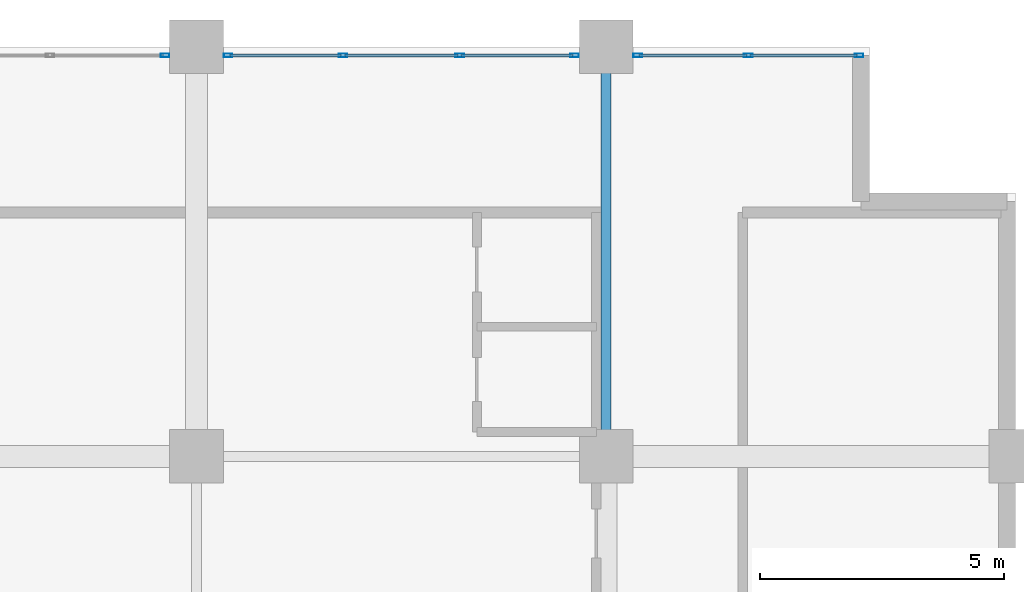
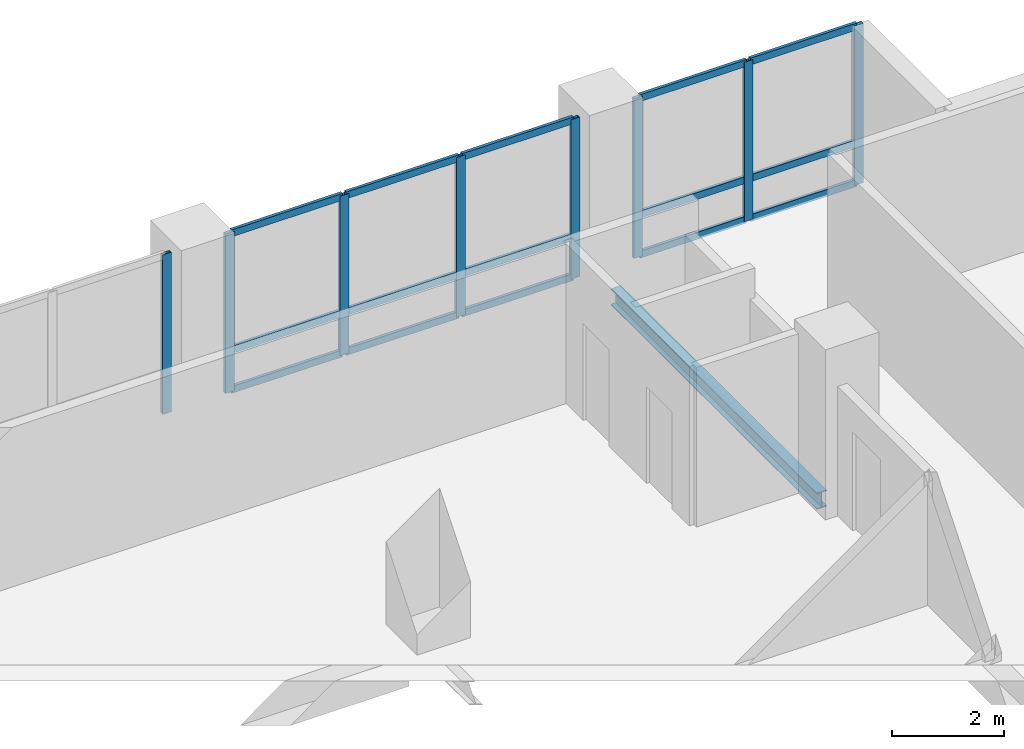
# One storey, part 5 of 19: 23 members, 1 beam, 3 elements without a shape of their own.
"""IFC4 building model written with IfcOpenShell, lengths in metres."""

from ifc_helpers import new_model, si_unit, direction, frame, origin, origin_2d, place, context, subcontext, project, spatial, hollow_rectangle, i_section, extrude, material, layer, layer_set, material_profile, profile_set, type_object, element, aggregate, save


model = new_model("IFC4")

# Units and contexts
model_context = context("Model", 3, precision=1e-05, world=origin(), true_north=direction((0.0, 1.0)))
body_context = subcontext(model_context, "Body", "Model", "MODEL_VIEW")
ifc_project = project(units=[si_unit("LENGTHUNIT", "METRE"), si_unit("AREAUNIT", "SQUARE_METRE"), si_unit("VOLUMEUNIT", "CUBIC_METRE"), si_unit("PLANEANGLEUNIT", "RADIAN"), si_unit("MASSUNIT", "GRAM", prefix="KILO")], contexts=[model_context])

# Site, building, storey
site_placement = place(None, origin())
site = spatial("IfcSite", under=ifc_project, at=site_placement, CompositionType="ELEMENT")
building_placement = place(site_placement, origin())
building = spatial("IfcBuilding", under=site, at=building_placement, Name="Koriwani Terraces Tower", CompositionType="ELEMENT")
storey_placement = place(building_placement, frame((0.0, 0.0, 190.199951171875)))
storey = spatial("IfcBuildingStorey", under=building, at=storey_placement, Name="L46", CompositionType="ELEMENT", Elevation=190.199951171875)

# Curtain wall, member
ifc_material_1 = material(Name="Anodised Bronze Aluminium", Category="aluminium")
ifc_layer = layer(ifc_material_1, 0.169921875, Name="Anodised Bronze Aluminium")
ifc_layer_set = layer_set([ifc_layer], Name="Anodised Bronze Aluminium")
curtain_wall_type = type_object("IfcCurtainWallType", Name="CW_RES_ZONE3", PredefinedType="NOTDEFINED", material=ifc_layer_set)
curtain_wall_1_placement = place(storey_placement, origin())
curtain_wall_1 = element("IfcCurtainWall", 1, at=curtain_wall_1_placement, inside=storey, type_object=curtain_wall_type, Name="L46 Unitised Curtain Wall (N_TIP) Bay 2", PredefinedType="NOTDEFINED")
ifc_material_profile_1 = material_profile(ifc_material_1, hollow_rectangle(XDim=0.074951171875, YDim=0.179931640625, WallThickness=0.006103515625, at=origin_2d()), Name="Anodised Bronze Aluminium", Category="LoadBearing")
ifc_profile_set_1 = profile_set([ifc_material_profile_1], Name="Anodised Bronze Aluminium")
member_type_1 = type_object("IfcMemberType", Name="CW_MULLION_180X75", PredefinedType="MULLION", material=ifc_profile_set_1)
member_1_placement = place(storey_placement, frame((16.152587890625, 75.425048828125, 0.0), z_axis=(0.0, 0.0, 1.0), x_axis=(0.0, 1.0, 0.0)))
member_1 = element("IfcMember", 2, at=member_1_placement, type_object=member_type_1, Name="CW-Z3 mullion 4", PredefinedType="MULLION", context=body_context, shape_type="SweptSolid", body=[
    extrude(hollow_rectangle(XDim=0.074951171875, YDim=0.179931640625, WallThickness=0.006103515625, at=origin_2d()), origin(), (0.0, 0.0, 1.0), 3.469970703125),
])
aggregate(curtain_wall_1, [member_1])

# Curtain wall, members
curtain_wall_2_placement = place(storey_placement, origin())
curtain_wall_2 = element("IfcCurtainWall", 3, at=curtain_wall_2_placement, inside=storey, type_object=curtain_wall_type, Name="L46 Unitised Curtain Wall (N_TIP) Bay 3", PredefinedType="NOTDEFINED")
member_2_placement = place(storey_placement, frame((17.447509765625, 75.425048828125, 0.0), z_axis=(0.0, 0.0, 1.0), x_axis=(0.0, 1.0, 0.0)))
member_2 = element("IfcMember", 4, at=member_2_placement, type_object=member_type_1, Name="CW-Z3 mullion 1", PredefinedType="MULLION", context=body_context, shape_type="SweptSolid", body=[
    extrude(hollow_rectangle(XDim=0.074951171875, YDim=0.179931640625, WallThickness=0.006103515625, at=origin_2d()), origin(), (0.0, 0.0, 1.0), 3.469970703125),
])
member_3_placement = place(storey_placement, frame((19.80322265625, 75.425048828125, 0.0), z_axis=(0.0, 0.0, 1.0), x_axis=(0.0, 1.0, 0.0)))
member_3 = element("IfcMember", 5, at=member_3_placement, type_object=member_type_1, Name="CW-Z3 mullion 2", PredefinedType="MULLION", context=body_context, shape_type="SweptSolid", body=[
    extrude(hollow_rectangle(XDim=0.074951171875, YDim=0.179931640625, WallThickness=0.006103515625, at=origin_2d()), origin(), (0.0, 0.0, 1.0), 3.469970703125),
])
member_4_placement = place(storey_placement, frame((22.19677734375, 75.425048828125, 0.0), z_axis=(0.0, 0.0, 1.0), x_axis=(0.0, 1.0, 0.0)))
member_4 = element("IfcMember", 6, at=member_4_placement, type_object=member_type_1, Name="CW-Z3 mullion 3", PredefinedType="MULLION", context=body_context, shape_type="SweptSolid", body=[
    extrude(hollow_rectangle(XDim=0.074951171875, YDim=0.179931640625, WallThickness=0.006103515625, at=origin_2d()), origin(), (0.0, 0.0, 1.0), 3.469970703125),
])
member_5_placement = place(storey_placement, frame((24.552490234375, 75.425048828125, 0.0), z_axis=(0.0, 0.0, 1.0), x_axis=(0.0, 1.0, 0.0)))
member_5 = element("IfcMember", 7, at=member_5_placement, type_object=member_type_1, Name="CW-Z3 mullion 4", PredefinedType="MULLION", context=body_context, shape_type="SweptSolid", body=[
    extrude(hollow_rectangle(XDim=0.074951171875, YDim=0.179931640625, WallThickness=0.006103515625, at=origin_2d()), origin(), (0.0, 0.0, 1.0), 3.469970703125),
])

curtain_wall_3_placement = place(storey_placement, origin())
curtain_wall_3 = element("IfcCurtainWall", 8, at=curtain_wall_3_placement, inside=storey, type_object=curtain_wall_type, Name="L46 Unitised Curtain Wall (N_TIP) Bay 4", PredefinedType="NOTDEFINED")
member_6_placement = place(storey_placement, frame((25.847412109375, 75.425048828125, 0.0), z_axis=(0.0, 0.0, 1.0), x_axis=(0.0, 1.0, 0.0)))
member_6 = element("IfcMember", 9, at=member_6_placement, type_object=member_type_1, Name="CW-Z3 mullion 1", PredefinedType="MULLION", context=body_context, shape_type="SweptSolid", body=[
    extrude(hollow_rectangle(XDim=0.074951171875, YDim=0.179931640625, WallThickness=0.006103515625, at=origin_2d()), origin(), (0.0, 0.0, 1.0), 3.469970703125),
])
member_7_placement = place(storey_placement, frame((28.117431640625, 75.425048828125, 0.0), z_axis=(0.0, 0.0, 1.0), x_axis=(0.0, 1.0, 0.0)))
member_7 = element("IfcMember", 10, at=member_7_placement, type_object=member_type_1, Name="CW-Z3 mullion 2", PredefinedType="MULLION", context=body_context, shape_type="SweptSolid", body=[
    extrude(hollow_rectangle(XDim=0.074951171875, YDim=0.179931640625, WallThickness=0.006103515625, at=origin_2d()), origin(), (0.0, 0.0, 1.0), 3.469970703125),
])
member_8_placement = place(storey_placement, frame((30.387451171875, 75.425048828125, 0.0), z_axis=(0.0, 0.0, 1.0), x_axis=(0.0, 1.0, 0.0)))
member_8 = element("IfcMember", 11, at=member_8_placement, type_object=member_type_1, Name="CW-Z3 mullion 3", PredefinedType="MULLION", context=body_context, shape_type="SweptSolid", body=[
    extrude(hollow_rectangle(XDim=0.074951171875, YDim=0.179931640625, WallThickness=0.006103515625, at=origin_2d()), origin(), (0.0, 0.0, 1.0), 3.469970703125),
])

# Member
ifc_material_profile_2 = material_profile(ifc_material_1, hollow_rectangle(XDim=0.06494140625, YDim=0.14990234375, WallThickness=0.0048828125, at=origin_2d()), Name="Anodised Bronze Aluminium", Category="LoadBearing")
ifc_profile_set_2 = profile_set([ifc_material_profile_2], Name="Anodised Bronze Aluminium")
member_type_2 = type_object("IfcMemberType", Name="CW_TRANSOM_150X65", PredefinedType="USERDEFINED", material=ifc_profile_set_2)
member_9_placement = place(storey_placement, frame((17.485107421875, 75.425048828125, 0.032470703125), z_axis=(1.0, 0.0, 0.0), x_axis=(0.0, 1.0, 0.0)))
member_9 = element("IfcMember", 12, at=member_9_placement, type_object=member_type_2, Name="CW-Z3 transom 1.1", ObjectType="TRANSOM", PredefinedType="USERDEFINED", context=body_context, shape_type="SweptSolid", body=[
    extrude(hollow_rectangle(XDim=0.06494140625, YDim=0.14990234375, WallThickness=0.0048828125, at=origin_2d()), origin(), (0.0, 0.0, 1.0), 2.28076171875),
])

member_10_placement = place(storey_placement, frame((17.485107421875, 75.425048828125, 0.900146484375), z_axis=(1.0, 0.0, 0.0), x_axis=(0.0, 1.0, 0.0)))
member_10 = element("IfcMember", 13, at=member_10_placement, type_object=member_type_2, Name="CW-Z3 transom 1.2", ObjectType="TRANSOM", PredefinedType="USERDEFINED", context=body_context, shape_type="SweptSolid", body=[
    extrude(hollow_rectangle(XDim=0.06494140625, YDim=0.14990234375, WallThickness=0.0048828125, at=origin_2d()), origin(), (0.0, 0.0, 1.0), 2.28076171875),
])

member_11_placement = place(storey_placement, frame((17.485107421875, 75.425048828125, 3.4375), z_axis=(1.0, 0.0, 0.0), x_axis=(0.0, 1.0, 0.0)))
member_11 = element("IfcMember", 14, at=member_11_placement, type_object=member_type_2, Name="CW-Z3 transom 1.3", ObjectType="TRANSOM", PredefinedType="USERDEFINED", context=body_context, shape_type="SweptSolid", body=[
    extrude(hollow_rectangle(XDim=0.06494140625, YDim=0.14990234375, WallThickness=0.0048828125, at=origin_2d()), origin(), (0.0, 0.0, 1.0), 2.28076171875),
])

member_12_placement = place(storey_placement, frame((19.8408203125, 75.425048828125, 0.032470703125), z_axis=(1.0, 0.0, 0.0), x_axis=(0.0, 1.0, 0.0)))
member_12 = element("IfcMember", 15, at=member_12_placement, type_object=member_type_2, Name="CW-Z3 transom 2.1", ObjectType="TRANSOM", PredefinedType="USERDEFINED", context=body_context, shape_type="SweptSolid", body=[
    extrude(hollow_rectangle(XDim=0.06494140625, YDim=0.14990234375, WallThickness=0.0048828125, at=origin_2d()), origin(), (0.0, 0.0, 1.0), 2.318359375),
])

member_13_placement = place(storey_placement, frame((19.8408203125, 75.425048828125, 0.900146484375), z_axis=(1.0, 0.0, 0.0), x_axis=(0.0, 1.0, 0.0)))
member_13 = element("IfcMember", 16, at=member_13_placement, type_object=member_type_2, Name="CW-Z3 transom 2.2", ObjectType="TRANSOM", PredefinedType="USERDEFINED", context=body_context, shape_type="SweptSolid", body=[
    extrude(hollow_rectangle(XDim=0.06494140625, YDim=0.14990234375, WallThickness=0.0048828125, at=origin_2d()), origin(), (0.0, 0.0, 1.0), 2.318359375),
])

member_14_placement = place(storey_placement, frame((19.8408203125, 75.425048828125, 3.4375), z_axis=(1.0, 0.0, 0.0), x_axis=(0.0, 1.0, 0.0)))
member_14 = element("IfcMember", 17, at=member_14_placement, type_object=member_type_2, Name="CW-Z3 transom 2.3", ObjectType="TRANSOM", PredefinedType="USERDEFINED", context=body_context, shape_type="SweptSolid", body=[
    extrude(hollow_rectangle(XDim=0.06494140625, YDim=0.14990234375, WallThickness=0.0048828125, at=origin_2d()), origin(), (0.0, 0.0, 1.0), 2.318359375),
])

member_15_placement = place(storey_placement, frame((22.234130859375, 75.425048828125, 0.032470703125), z_axis=(1.0, 0.0, 0.0), x_axis=(0.0, 1.0, 0.0)))
member_15 = element("IfcMember", 18, at=member_15_placement, type_object=member_type_2, Name="CW-Z3 transom 3.1", ObjectType="TRANSOM", PredefinedType="USERDEFINED", context=body_context, shape_type="SweptSolid", body=[
    extrude(hollow_rectangle(XDim=0.06494140625, YDim=0.14990234375, WallThickness=0.0048828125, at=origin_2d()), origin(), (0.0, 0.0, 1.0), 2.28076171875),
])

member_16_placement = place(storey_placement, frame((22.234130859375, 75.425048828125, 0.900146484375), z_axis=(1.0, 0.0, 0.0), x_axis=(0.0, 1.0, 0.0)))
member_16 = element("IfcMember", 19, at=member_16_placement, type_object=member_type_2, Name="CW-Z3 transom 3.2", ObjectType="TRANSOM", PredefinedType="USERDEFINED", context=body_context, shape_type="SweptSolid", body=[
    extrude(hollow_rectangle(XDim=0.06494140625, YDim=0.14990234375, WallThickness=0.0048828125, at=origin_2d()), origin(), (0.0, 0.0, 1.0), 2.28076171875),
])

member_17_placement = place(storey_placement, frame((22.234130859375, 75.425048828125, 3.4375), z_axis=(1.0, 0.0, 0.0), x_axis=(0.0, 1.0, 0.0)))
member_17 = element("IfcMember", 20, at=member_17_placement, type_object=member_type_2, Name="CW-Z3 transom 3.3", ObjectType="TRANSOM", PredefinedType="USERDEFINED", context=body_context, shape_type="SweptSolid", body=[
    extrude(hollow_rectangle(XDim=0.06494140625, YDim=0.14990234375, WallThickness=0.0048828125, at=origin_2d()), origin(), (0.0, 0.0, 1.0), 2.28076171875),
])

aggregate(curtain_wall_2, [member_2, member_3, member_4, member_5, member_9, member_10, member_11, member_12, member_13, member_14, member_15, member_16, member_17])

member_18_placement = place(storey_placement, frame((25.885009765625, 75.425048828125, 0.032470703125), z_axis=(1.0, 0.0, 0.0), x_axis=(0.0, 1.0, 0.0)))
member_18 = element("IfcMember", 21, at=member_18_placement, type_object=member_type_2, Name="CW-Z3 transom 1.1", ObjectType="TRANSOM", PredefinedType="USERDEFINED", context=body_context, shape_type="SweptSolid", body=[
    extrude(hollow_rectangle(XDim=0.06494140625, YDim=0.14990234375, WallThickness=0.0048828125, at=origin_2d()), origin(), (0.0, 0.0, 1.0), 2.195068359375),
])

member_19_placement = place(storey_placement, frame((25.885009765625, 75.425048828125, 0.900146484375), z_axis=(1.0, 0.0, 0.0), x_axis=(0.0, 1.0, 0.0)))
member_19 = element("IfcMember", 22, at=member_19_placement, type_object=member_type_2, Name="CW-Z3 transom 1.2", ObjectType="TRANSOM", PredefinedType="USERDEFINED", context=body_context, shape_type="SweptSolid", body=[
    extrude(hollow_rectangle(XDim=0.06494140625, YDim=0.14990234375, WallThickness=0.0048828125, at=origin_2d()), origin(), (0.0, 0.0, 1.0), 2.195068359375),
])

member_20_placement = place(storey_placement, frame((25.885009765625, 75.425048828125, 3.4375), z_axis=(1.0, 0.0, 0.0), x_axis=(0.0, 1.0, 0.0)))
member_20 = element("IfcMember", 23, at=member_20_placement, type_object=member_type_2, Name="CW-Z3 transom 1.3", ObjectType="TRANSOM", PredefinedType="USERDEFINED", context=body_context, shape_type="SweptSolid", body=[
    extrude(hollow_rectangle(XDim=0.06494140625, YDim=0.14990234375, WallThickness=0.0048828125, at=origin_2d()), origin(), (0.0, 0.0, 1.0), 2.195068359375),
])

member_21_placement = place(storey_placement, frame((28.155029296875, 75.425048828125, 0.032470703125), z_axis=(1.0, 0.0, 0.0), x_axis=(0.0, 1.0, 0.0)))
member_21 = element("IfcMember", 24, at=member_21_placement, type_object=member_type_2, Name="CW-Z3 transom 2.1", ObjectType="TRANSOM", PredefinedType="USERDEFINED", context=body_context, shape_type="SweptSolid", body=[
    extrude(hollow_rectangle(XDim=0.06494140625, YDim=0.14990234375, WallThickness=0.0048828125, at=origin_2d()), origin(), (0.0, 0.0, 1.0), 2.195068359375),
])

member_22_placement = place(storey_placement, frame((28.155029296875, 75.425048828125, 0.900146484375), z_axis=(1.0, 0.0, 0.0), x_axis=(0.0, 1.0, 0.0)))
member_22 = element("IfcMember", 25, at=member_22_placement, type_object=member_type_2, Name="CW-Z3 transom 2.2", ObjectType="TRANSOM", PredefinedType="USERDEFINED", context=body_context, shape_type="SweptSolid", body=[
    extrude(hollow_rectangle(XDim=0.06494140625, YDim=0.14990234375, WallThickness=0.0048828125, at=origin_2d()), origin(), (0.0, 0.0, 1.0), 2.195068359375),
])

member_23_placement = place(storey_placement, frame((28.155029296875, 75.425048828125, 3.4375), z_axis=(1.0, 0.0, 0.0), x_axis=(0.0, 1.0, 0.0)))
member_23 = element("IfcMember", 26, at=member_23_placement, type_object=member_type_2, Name="CW-Z3 transom 2.3", ObjectType="TRANSOM", PredefinedType="USERDEFINED", context=body_context, shape_type="SweptSolid", body=[
    extrude(hollow_rectangle(XDim=0.06494140625, YDim=0.14990234375, WallThickness=0.0048828125, at=origin_2d()), origin(), (0.0, 0.0, 1.0), 2.195068359375),
])

aggregate(curtain_wall_3, [member_6, member_7, member_8, member_18, member_19, member_20, member_21, member_22, member_23])

# Beam
ifc_material_2 = material(Name="Steel ASTM A572 Grade 50", Category="steel")
ifc_material_profile_3 = material_profile(ifc_material_2, i_section(OverallWidth=0.205078125, OverallDepth=0.35400390625, WebThickness=0.009521484375, FlangeThickness=0.016845703125, at=origin_2d()), Name="Steel ASTM A572 Grade 50", Category="LoadBearing")
ifc_profile_set_3 = profile_set([ifc_material_profile_3], Name="Steel ASTM A572 Grade 50")
beam_type = type_object("IfcBeamType", Name="STEEL_BEAM_W360X79", PredefinedType="JOIST", material=ifc_profile_set_3)
beam_placement = place(storey_placement, frame((25.199951171875, 67.72998046875, -0.406982421875), z_axis=(0.0, 1.0, 0.0), x_axis=(-1.0, 0.0, 0.0)))
element("IfcBeam", 27, at=beam_placement, inside=storey, type_object=beam_type, Name="L46 Grid Beam 4 (67.2-75.6m)", PredefinedType="JOIST", context=body_context, shape_type="SweptSolid", body=[
    extrude(i_section(OverallWidth=0.205078125, OverallDepth=0.35400390625, WebThickness=0.009521484375, FlangeThickness=0.016845703125, at=origin_2d()), origin(), (0.0, 0.0, 1.0), 7.340087890625),
])

save(model, "model.ifc")
